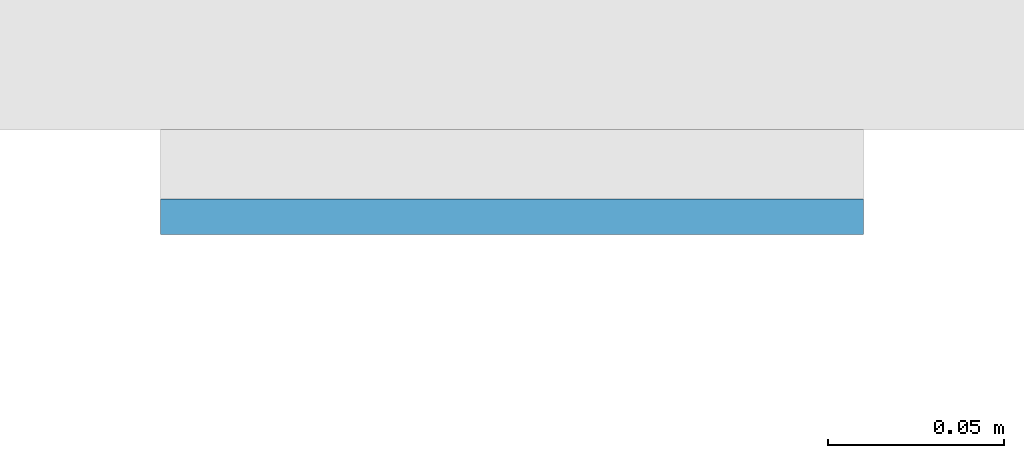
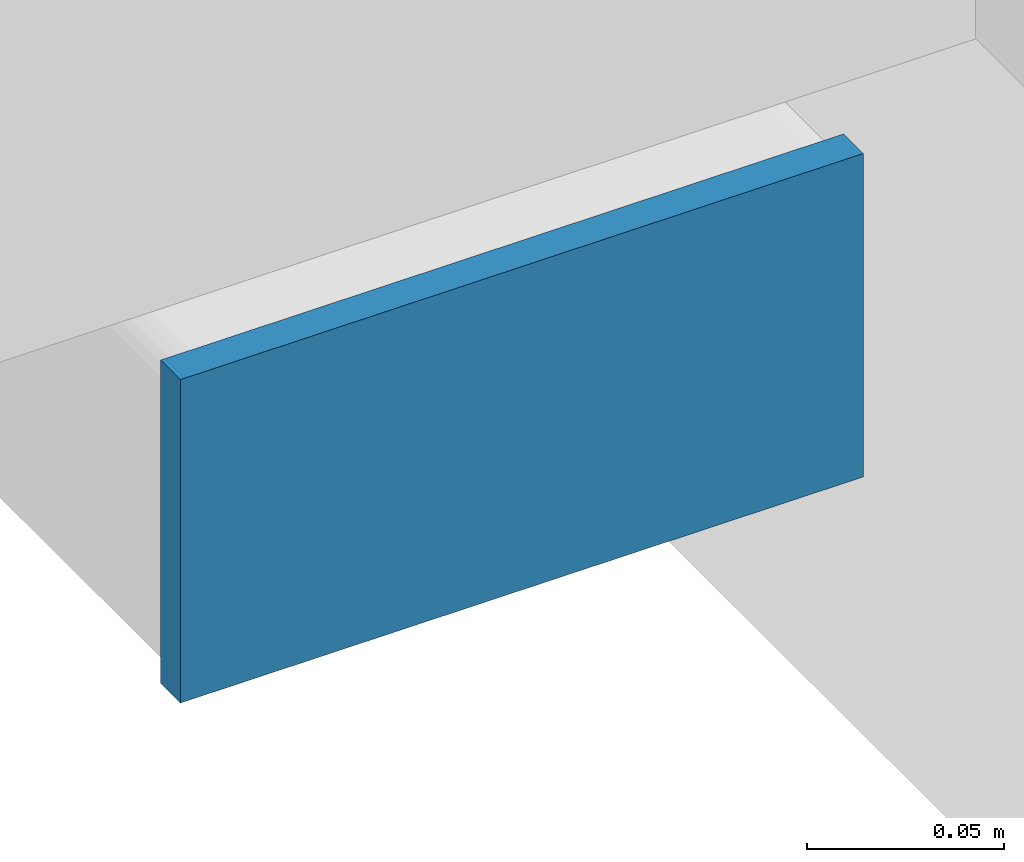
# One storey, part 8 of 21: 1 plate.
"""IFC4 building model written with IfcOpenShell, lengths in metres."""

from ifc_helpers import new_model, si_unit, direction, frame, origin, origin_2d, place, context, subcontext, project, spatial, rectangle, extrude, material, layer, layer_set, type_object, element, save


model = new_model("IFC4")

# Units and contexts
model_context = context("Model", 3, precision=1e-05, world=origin(), true_north=direction((0.0, 1.0)))
body_context = subcontext(model_context, "Body", "Model", "MODEL_VIEW")
ifc_project = project(units=[si_unit("LENGTHUNIT", "METRE"), si_unit("AREAUNIT", "SQUARE_METRE"), si_unit("VOLUMEUNIT", "CUBIC_METRE"), si_unit("PLANEANGLEUNIT", "RADIAN"), si_unit("MASSUNIT", "GRAM", prefix="KILO")], contexts=[model_context])

# Site, building, storey
site_placement = place(None, origin())
site = spatial("IfcSite", under=ifc_project, at=site_placement, CompositionType="ELEMENT")
building_placement = place(site_placement, origin())
building = spatial("IfcBuilding", under=site, at=building_placement, Name="Cleftline Residences", CompositionType="ELEMENT")
storey_placement = place(building_placement, frame((0.0, 0.0, 58.39990234375)))
storey = spatial("IfcBuildingStorey", under=building, at=storey_placement, Name="L14", CompositionType="ELEMENT", Elevation=58.39990234375)

# Plate
ifc_material = material(Name="Steel S355, hot-dip galvanised", Category="steel")
ifc_layer = layer(ifc_material, 0.010009765625)
ifc_layer_set = layer_set([ifc_layer], Name="BAGUETTE CARRIER END PLATE 200X100X10")
plate_type = type_object("IfcPlateType", Name="BAGUETTE CARRIER END PLATE 200X100X10", PredefinedType="USERDEFINED", material=ifc_layer_set)
plate_placement = place(storey_placement, frame((-0.85009765625, 3.695068359375, -0.099853515625), z_axis=(0.0, 0.0, 1.0), x_axis=(-1.0, 0.0, 0.0)))
element("IfcPlate", 1, at=plate_placement, inside=storey, type_object=plate_type, Name="Baguette carrier end plate", ObjectType="BAGUETTE CARRIER END PLATE", PredefinedType="USERDEFINED", context=body_context, shape_type="SweptSolid", body=[
    extrude(rectangle(XDim=0.199951171875, YDim=0.010009765625, at=origin_2d()), origin(), (0.0, 0.0, 1.0), 0.10009765625),
])

save(model, "model.ifc")
